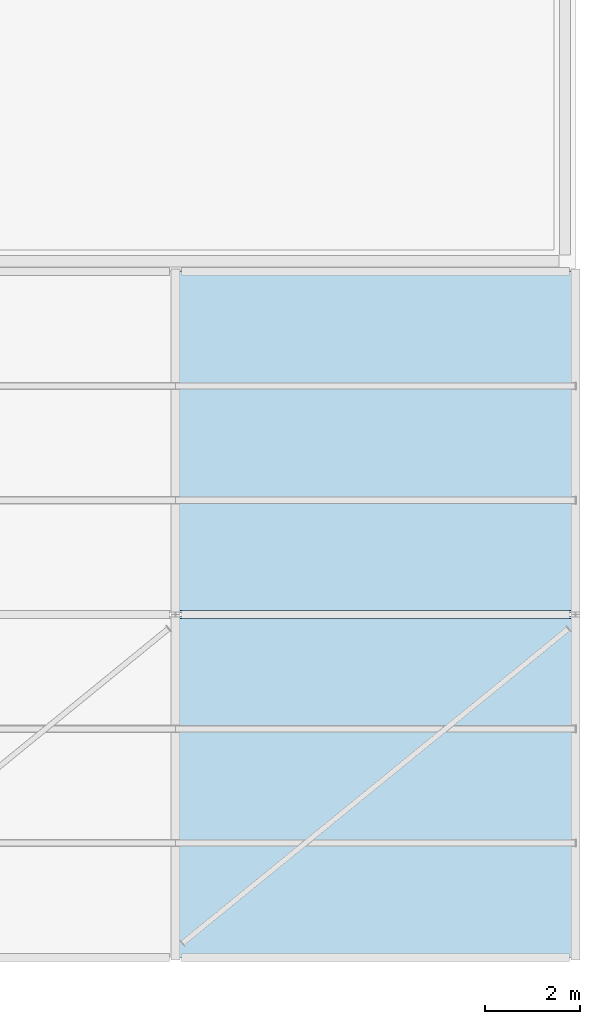
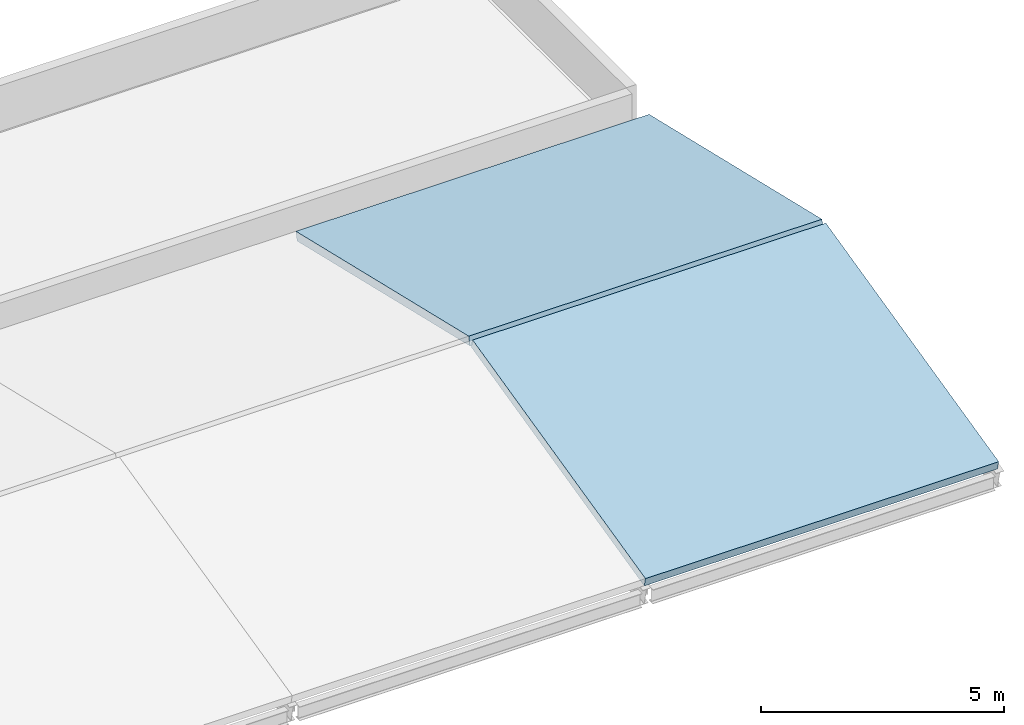
# One storey, part 35 of 79: 2 slabs.
"""IFC4 building model written with IfcOpenShell, lengths in metres."""

from ifc_helpers import new_model, si_unit, derived_unit, direction, frame, origin, place, context, subcontext, project, spatial, polyline, outline, extrude, material, layer, layer_set, type_object, element, save


model = new_model("IFC4")

# Units and contexts
model_context = context("Model", 3, precision=1e-05, world=origin(), true_north=direction((0.0, 1.0)))
body_context = subcontext(model_context, "Body", "Model", "MODEL_VIEW")
ifc_project = project(units=[si_unit("LENGTHUNIT", "METRE"), si_unit("AREAUNIT", "SQUARE_METRE"), si_unit("VOLUMEUNIT", "CUBIC_METRE"), si_unit("PLANEANGLEUNIT", "RADIAN"), si_unit("MASSUNIT", "GRAM", prefix="KILO"), derived_unit("THERMALTRANSMITTANCEUNIT", [(si_unit("POWERUNIT", "WATT"), 1), (si_unit("LENGTHUNIT", "METRE"), -2), (si_unit("THERMODYNAMICTEMPERATUREUNIT", "KELVIN"), -1)])], contexts=[model_context])

# Site, building, storey
site_placement = place(None, origin())
site = spatial("IfcSite", under=ifc_project, at=site_placement, CompositionType="ELEMENT")
building_placement = place(site_placement, origin())
building = spatial("IfcBuilding", under=site, at=building_placement, Name="Veybourne Emporium", CompositionType="ELEMENT")
storey_placement = place(building_placement, frame((0.0, 0.0, 18.89990234375)))
storey = spatial("IfcBuildingStorey", under=building, at=storey_placement, Name="L04", CompositionType="ELEMENT", Elevation=18.89990234375)

# Slabs
ifc_material = material(Name="Concrete C32/40", Category="concrete")
ifc_layer = layer(ifc_material, 0.219970703125)
ifc_layer_set = layer_set([ifc_layer], Name="Concrete C32/40")
slab_type = type_object("IfcSlabType", Name="Slab_RS-02", PredefinedType="ROOF", material=ifc_layer_set)
slab_1_placement = place(storey_placement, frame((126.0, 0.0, 0.5751953125), z_axis=(0.0, -0.229636385395, 0.97327649232), x_axis=(1.0, 0.0, 0.0)))
element("IfcSlab", 1, at=slab_1_placement, inside=storey, type_object=slab_type, Name="Food hall sloped roof south 04", PredefinedType="ROOF", context=body_context, shape_type="SweptSolid", body=[
    extrude(outline(polyline([(0.0, 0.0), (8.39990234375, 0.0), (8.39990234375, 7.315616110821147), (0.0, 7.315616110821147), (0.0, 0.0)])), origin(), (0.0, 0.0, -1.0), 0.219970703125),
])
slab_2_placement = place(storey_placement, frame((126.0, 7.280029296875, 2.255126953125), z_axis=(0.0, 0.229643844381, 0.973274732405), x_axis=(1.0, 0.0, 0.0)))
element("IfcSlab", 2, at=slab_2_placement, inside=storey, type_object=slab_type, Name="Food hall sloped roof north 04", PredefinedType="ROOF", context=body_context, shape_type="SweptSolid", body=[
    extrude(outline(polyline([(0.0, 0.0), (8.39990234375, 0.0), (8.39990234375, 7.315378494704843), (0.0, 7.315378494704843), (0.0, 0.0)])), origin(), (0.0, 0.0, -1.0), 0.219970703125),
])

save(model, "model.ifc")
